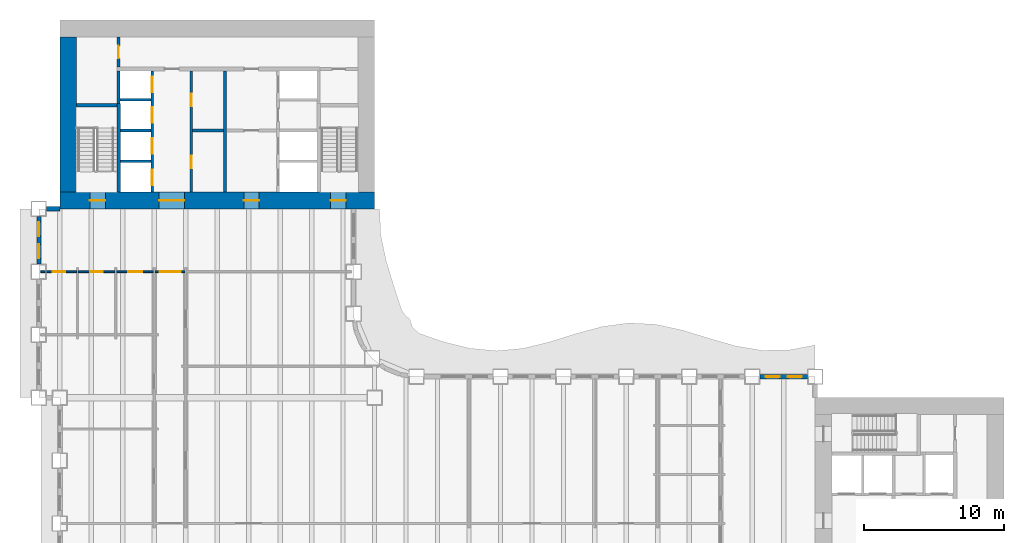
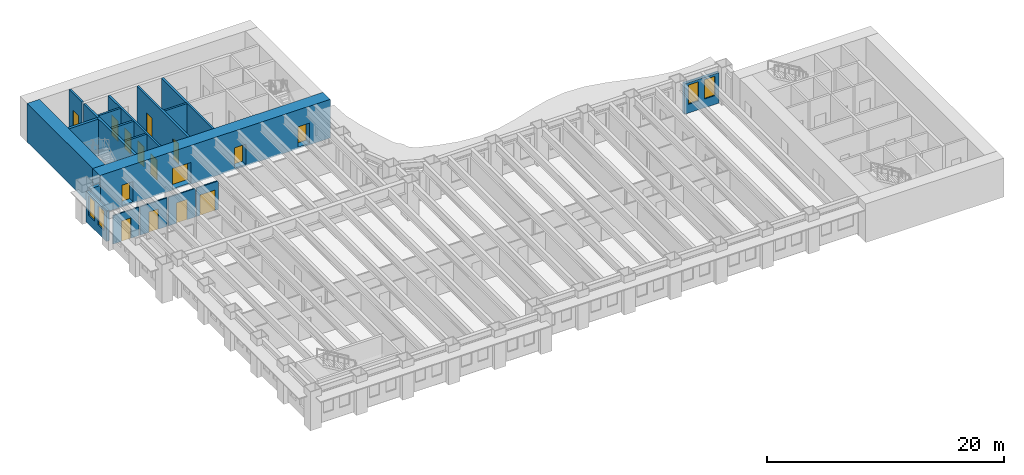
# One storey, part 7 of 15: 20 walls, 15 doors, 4 windows, 19 openings.
"""IFC4 building model written with IfcOpenShell, lengths in metres."""

from ifc_helpers import new_model, si_unit, direction, frame, frame_2d, origin, place, context, subcontext, project, spatial, rectangle, extrude, material, layer, layer_set, type_object, element, fill, save


model = new_model("IFC4")

# Units and contexts
model_context = context("Model", 3, precision=1e-05, world=origin(), true_north=direction((0.0, 1.0)))
body_context = subcontext(model_context, "Body", "Model", "MODEL_VIEW")
ifc_project = project(units=[si_unit("LENGTHUNIT", "METRE"), si_unit("AREAUNIT", "SQUARE_METRE"), si_unit("VOLUMEUNIT", "CUBIC_METRE"), si_unit("PLANEANGLEUNIT", "RADIAN"), si_unit("MASSUNIT", "GRAM", prefix="KILO")], contexts=[model_context])

# Site, building, storey
site_placement = place(None, origin())
site = spatial("IfcSite", under=ifc_project, at=site_placement, CompositionType="ELEMENT")
building_placement = place(site_placement, origin())
building = spatial("IfcBuilding", under=site, at=building_placement, Name="Sennacour Bend Tower", CompositionType="ELEMENT")
storey_placement = place(building_placement, frame((0.0, 0.0, 41.0)))
storey = spatial("IfcBuildingStorey", under=building, at=storey_placement, Name="L08", CompositionType="ELEMENT", Elevation=41.0)

# Wall, openings, doors
ifc_material_1 = material(Name="Concrete C80/95", Category="concrete")
ifc_layer_1 = layer(ifc_material_1, 1.199951171875, Name="Concrete C80/95", Category="concrete")
ifc_layer_set_1 = layer_set([ifc_layer_1], Name="Concrete C80/95")
wall_type_1 = type_object("IfcWallType", Name="Core wall 1200 C80/95", PredefinedType="SHEAR", material=ifc_layer_set_1)
wall_1_placement = place(storey_placement, frame((0.0, 36.60009765625, -0.14990234375), z_axis=(0.0, 0.0, 1.0), x_axis=(1.0, 0.0, 0.0)))
wall_1 = element("IfcWall", 1, at=wall_1_placement, inside=storey, type_object=wall_type_1, Name="Core B wall L08 S", PredefinedType="SHEAR", context=body_context, shape_type="SweptSolid", body=[
    extrude(rectangle(XDim=22.5, YDim=1.199951171875, at=frame_2d((11.25, 0.0))), origin(), (0.0, 0.0, 1.0), 4.0),
])
opening_1_placement = place(wall_1_placement, frame((7.10009765625, 0.0, 0.14990234375)))
opening_1 = element("IfcOpeningElement", 2, at=opening_1_placement, cuts=wall_1, Name="Opening CD", PredefinedType="OPENING", context=body_context, shape_type="SweptSolid", body=[
    extrude(rectangle(XDim=1.800048828125, YDim=2.10009765625, at=frame_2d((0.89990234375, 1.050048828125))), frame((0.0, 0.60986328125, 0.0), z_axis=(0.0, -1.0, 0.0), x_axis=(1.0, 0.0, 0.0)), (0.0, 0.0, 1.0), 1.219970703125),
])
opening_2_placement = place(wall_1_placement, frame((13.14990234375, 0.0, 0.14990234375)))
opening_2 = element("IfcOpeningElement", 3, at=opening_2_placement, cuts=wall_1, Name="Opening FD", PredefinedType="OPENING", context=body_context, shape_type="SweptSolid", body=[
    extrude(rectangle(XDim=1.10009765625, YDim=2.10009765625, at=frame_2d((0.550048828125, 1.050048828125))), frame((0.0, 0.60986328125, 0.0), z_axis=(0.0, -1.0, 0.0), x_axis=(1.0, 0.0, 0.0)), (0.0, 0.0, 1.0), 1.219970703125),
])
opening_3_placement = place(wall_1_placement, frame((2.14990234375, 0.0, 0.14990234375)))
opening_3 = element("IfcOpeningElement", 4, at=opening_3_placement, cuts=wall_1, Name="Opening SD", PredefinedType="OPENING", context=body_context, shape_type="SweptSolid", body=[
    extrude(rectangle(XDim=1.10009765625, YDim=2.10009765625, at=frame_2d((0.550048828125, 1.050048828125))), frame((0.0, 0.60986328125, 0.0), z_axis=(0.0, -1.0, 0.0), x_axis=(1.0, 0.0, 0.0)), (0.0, 0.0, 1.0), 1.219970703125),
])
opening_4_placement = place(wall_1_placement, frame((19.35009765625, 0.0, 0.14990234375)))
opening_4 = element("IfcOpeningElement", 5, at=opening_4_placement, cuts=wall_1, Name="Opening SD", PredefinedType="OPENING", context=body_context, shape_type="SweptSolid", body=[
    extrude(rectangle(XDim=1.10009765625, YDim=2.10009765625, at=frame_2d((0.550048828125, 1.050048828125))), frame((0.0, 0.60986328125, 0.0), z_axis=(0.0, -1.0, 0.0), x_axis=(1.0, 0.0, 0.0)), (0.0, 0.0, 1.0), 1.219970703125),
])
ifc_material_2 = material(Name="Painted steel", Category="steel")
door_type_1 = type_object("IfcDoorType", Name="DR-FFL-1100", OperationType="NOTDEFINED", PredefinedType="DOOR", material=ifc_material_2)
door_1_placement = place(opening_2_placement, origin())
door_1 = element("IfcDoor", 6, at=door_1_placement, inside=storey, type_object=door_type_1, Name="Door", OperationType="SINGLE_SWING_RIGHT", OverallHeight=2.10009765625, OverallWidth=1.10009765625, PredefinedType="DOOR", context=body_context, shape_type="SweptSolid", body=[
    extrude(rectangle(XDim=1.10009765625, YDim=2.10009765625, at=frame_2d((0.550048828125, 1.050048828125))), frame((0.0, 0.02490234375, 0.0), z_axis=(0.0, -1.0, 0.0), x_axis=(1.0, 0.0, 0.0)), (0.0, 0.0, 1.0), 0.050048828125),
])
fill(opening_2, door_1)
door_type_2 = type_object("IfcDoorType", Name="DR-LOBBY-1800", OperationType="NOTDEFINED", PredefinedType="DOOR", material=ifc_material_2)
door_2_placement = place(opening_1_placement, origin())
door_2 = element("IfcDoor", 7, at=door_2_placement, inside=storey, type_object=door_type_2, Name="Door", OperationType="DOUBLE_DOOR_SINGLE_SWING", OverallHeight=2.10009765625, OverallWidth=1.800048828125, PredefinedType="DOOR", context=body_context, shape_type="SweptSolid", body=[
    extrude(rectangle(XDim=1.800048828125, YDim=2.10009765625, at=frame_2d((0.89990234375, 1.050048828125))), frame((0.0, 0.02490234375, 0.0), z_axis=(0.0, -1.0, 0.0), x_axis=(1.0, 0.0, 0.0)), (0.0, 0.0, 1.0), 0.050048828125),
])
fill(opening_1, door_2)
door_type_3 = type_object("IfcDoorType", Name="DR-STAIR-1100", OperationType="NOTDEFINED", PredefinedType="DOOR", material=ifc_material_2)
door_3_placement = place(opening_3_placement, origin())
door_3 = element("IfcDoor", 8, at=door_3_placement, inside=storey, type_object=door_type_3, Name="Door", OperationType="SINGLE_SWING_LEFT", OverallHeight=2.10009765625, OverallWidth=1.10009765625, PredefinedType="DOOR", context=body_context, shape_type="SweptSolid", body=[
    extrude(rectangle(XDim=1.10009765625, YDim=2.10009765625, at=frame_2d((0.550048828125, 1.050048828125))), frame((0.0, 0.02490234375, 0.0), z_axis=(0.0, -1.0, 0.0), x_axis=(1.0, 0.0, 0.0)), (0.0, 0.0, 1.0), 0.050048828125),
])
fill(opening_3, door_3)
door_4_placement = place(opening_4_placement, origin())
door_4 = element("IfcDoor", 9, at=door_4_placement, inside=storey, type_object=door_type_3, Name="Door", OperationType="SINGLE_SWING_RIGHT", OverallHeight=2.10009765625, OverallWidth=1.10009765625, PredefinedType="DOOR", context=body_context, shape_type="SweptSolid", body=[
    extrude(rectangle(XDim=1.10009765625, YDim=2.10009765625, at=frame_2d((0.550048828125, 1.050048828125))), frame((0.0, 0.02490234375, 0.0), z_axis=(0.0, -1.0, 0.0), x_axis=(1.0, 0.0, 0.0)), (0.0, 0.0, 1.0), 0.050048828125),
])
fill(opening_4, door_4)

# Wall
wall_2_placement = place(storey_placement, frame((0.60009765625, 37.199951171875, -0.14990234375), z_axis=(0.0, 0.0, 1.0), x_axis=(0.0, 1.0, 0.0)))
element("IfcWall", 10, at=wall_2_placement, inside=storey, type_object=wall_type_1, Name="Core B wall L08 W", PredefinedType="SHEAR", context=body_context, shape_type="SweptSolid", body=[
    extrude(rectangle(XDim=11.10009765625, YDim=1.199951171875, at=frame_2d((5.550048828125, 0.0))), origin(), (0.0, 0.0, 1.0), 4.0),
])

# Wall, opening, door
ifc_material_3 = material(Name="Plasterboard partition on steel studs", Category="steel")
ifc_layer_2 = layer(ifc_material_3, 0.1201171875, Name="Plasterboard partition on steel studs", Category="steel")
ifc_layer_set_2 = layer_set([ifc_layer_2], Name="Plasterboard partition on steel studs")
wall_type_2 = type_object("IfcWallType", Name="Partition 120", PredefinedType="PARTITIONING", material=ifc_layer_set_2)
wall_3_placement = place(storey_placement, frame((-1.35009765625, 31.5, 0.0), z_axis=(0.0, 0.0, 1.0), x_axis=(1.0, 0.0, 0.0)))
wall_3 = element("IfcWall", 11, at=wall_3_placement, inside=storey, type_object=wall_type_2, Name="P-L08-W072aa", PredefinedType="PARTITIONING", context=body_context, shape_type="SweptSolid", body=[
    extrude(rectangle(XDim=2.5400390625, YDim=0.1201171875, at=frame_2d((1.27001953125, 0.0))), origin(), (0.0, 0.0, 1.0), 2.93798828125),
])
opening_5_placement = place(wall_3_placement, frame((0.85009765625, 0.0, 0.0)))
opening_5 = element("IfcOpeningElement", 12, at=opening_5_placement, cuts=wall_3, Name="Opening WD", PredefinedType="OPENING", context=body_context, shape_type="SweptSolid", body=[
    extrude(rectangle(XDim=0.89990234375, YDim=2.10009765625, at=frame_2d((0.449951171875, 1.050048828125))), frame((0.0, 0.070068359375, 0.0), z_axis=(0.0, -1.0, 0.0), x_axis=(1.0, 0.0, 0.0)), (0.0, 0.0, 1.0), 0.14013671875),
])
ifc_material_4 = material(Name="Timber", Category="wood")
door_type_4 = type_object("IfcDoorType", Name="DR-WC-900", OperationType="NOTDEFINED", PredefinedType="DOOR", material=ifc_material_4)
door_5_placement = place(opening_5_placement, origin())
door_5 = element("IfcDoor", 13, at=door_5_placement, inside=storey, type_object=door_type_4, Name="Door", OperationType="SINGLE_SWING_RIGHT", OverallHeight=2.10009765625, OverallWidth=0.89990234375, PredefinedType="DOOR", context=body_context, shape_type="SweptSolid", body=[
    extrude(rectangle(XDim=0.89990234375, YDim=2.10009765625, at=frame_2d((0.449951171875, 1.050048828125))), frame((0.0, 0.02490234375, 0.0), z_axis=(0.0, -1.0, 0.0), x_axis=(1.0, 0.0, 0.0)), (0.0, 0.0, 1.0), 0.050048828125),
])
fill(opening_5, door_5)

wall_4_placement = place(storey_placement, frame((1.31005859375, 31.5, 0.0), z_axis=(0.0, 0.0, 1.0), x_axis=(1.0, 0.0, 0.0)))
wall_4 = element("IfcWall", 14, at=wall_4_placement, inside=storey, type_object=wall_type_2, Name="P-L08-W072ab", PredefinedType="PARTITIONING", context=body_context, shape_type="SweptSolid", body=[
    extrude(rectangle(XDim=2.6298828125, YDim=0.1201171875, at=frame_2d((1.31494140625, 0.0))), origin(), (0.0, 0.0, 1.0), 2.93798828125),
])
opening_6_placement = place(wall_4_placement, frame((0.864990234375, 0.0, 0.0)))
opening_6 = element("IfcOpeningElement", 15, at=opening_6_placement, cuts=wall_4, Name="Opening WD", PredefinedType="OPENING", context=body_context, shape_type="SweptSolid", body=[
    extrude(rectangle(XDim=0.89990234375, YDim=2.10009765625, at=frame_2d((0.449951171875, 1.050048828125))), frame((0.0, 0.070068359375, 0.0), z_axis=(0.0, -1.0, 0.0), x_axis=(1.0, 0.0, 0.0)), (0.0, 0.0, 1.0), 0.14013671875),
])
door_6_placement = place(opening_6_placement, origin())
door_6 = element("IfcDoor", 16, at=door_6_placement, inside=storey, type_object=door_type_4, Name="Door", OperationType="SINGLE_SWING_LEFT", OverallHeight=2.10009765625, OverallWidth=0.89990234375, PredefinedType="DOOR", context=body_context, shape_type="SweptSolid", body=[
    extrude(rectangle(XDim=0.89990234375, YDim=2.10009765625, at=frame_2d((0.449951171875, 1.050048828125))), frame((0.0, 0.02490234375, 0.0), z_axis=(0.0, -1.0, 0.0), x_axis=(1.0, 0.0, 0.0)), (0.0, 0.0, 1.0), 0.050048828125),
])
fill(opening_6, door_6)

wall_5_placement = place(storey_placement, frame((4.06005859375, 31.5, 0.0), z_axis=(0.0, 0.0, 1.0), x_axis=(1.0, 0.0, 0.0)))
wall_5 = element("IfcWall", 17, at=wall_5_placement, inside=storey, type_object=wall_type_2, Name="P-L08-W072ac", PredefinedType="PARTITIONING", context=body_context, shape_type="SweptSolid", body=[
    extrude(rectangle(XDim=2.6298828125, YDim=0.1201171875, at=frame_2d((1.31494140625, 0.0))), origin(), (0.0, 0.0, 1.0), 2.93798828125),
])
opening_7_placement = place(wall_5_placement, frame((0.81494140625, 0.0, 0.0)))
opening_7 = element("IfcOpeningElement", 18, at=opening_7_placement, cuts=wall_5, Name="Opening AD", PredefinedType="OPENING", context=body_context, shape_type="SweptSolid", body=[
    extrude(rectangle(XDim=1.0, YDim=2.10009765625, at=frame_2d((0.5, 1.050048828125))), frame((0.0, 0.070068359375, 0.0), z_axis=(0.0, -1.0, 0.0), x_axis=(1.0, 0.0, 0.0)), (0.0, 0.0, 1.0), 0.14013671875),
])
door_type_5 = type_object("IfcDoorType", Name="DR-ACC-WC-1000", OperationType="NOTDEFINED", PredefinedType="DOOR", material=ifc_material_4)
door_7_placement = place(opening_7_placement, origin())
door_7 = element("IfcDoor", 19, at=door_7_placement, inside=storey, type_object=door_type_5, Name="Door", OperationType="SINGLE_SWING_LEFT", OverallHeight=2.10009765625, OverallWidth=1.0, PredefinedType="DOOR", context=body_context, shape_type="SweptSolid", body=[
    extrude(rectangle(XDim=1.0, YDim=2.10009765625, at=frame_2d((0.5, 1.050048828125))), frame((0.0, 0.02490234375, 0.0), z_axis=(0.0, -1.0, 0.0), x_axis=(1.0, 0.0, 0.0)), (0.0, 0.0, 1.0), 0.050048828125),
])
fill(opening_7, door_7)

ifc_layer_3 = layer(ifc_material_3, 0.1201171875, Name="Plasterboard partition on steel studs", Category="steel")
ifc_layer_set_3 = layer_set([ifc_layer_3], Name="Plasterboard partition on steel studs")
wall_type_3 = type_object("IfcWallType", Name="Partition 120 EI 30", PredefinedType="PARTITIONING", material=ifc_layer_set_3)
wall_6_placement = place(storey_placement, frame((6.81005859375, 31.5, 0.0), z_axis=(0.0, 0.0, 1.0), x_axis=(1.0, 0.0, 0.0)))
wall_6 = element("IfcWall", 20, at=wall_6_placement, inside=storey, type_object=wall_type_3, Name="P-L08-W072ad", PredefinedType="PARTITIONING", context=body_context, shape_type="SweptSolid", body=[
    extrude(rectangle(XDim=2.1298828125, YDim=0.1201171875, at=frame_2d((1.06494140625, 0.0))), origin(), (0.0, 0.0, 1.0), 2.93798828125),
])
opening_8_placement = place(wall_6_placement, frame((0.31494140625, 0.0, 0.0)))
opening_8 = element("IfcOpeningElement", 21, at=opening_8_placement, cuts=wall_6, Name="Opening KD", PredefinedType="OPENING", context=body_context, shape_type="SweptSolid", body=[
    extrude(rectangle(XDim=1.5, YDim=2.10009765625, at=frame_2d((0.75, 1.050048828125))), frame((0.0, 0.070068359375, 0.0), z_axis=(0.0, -1.0, 0.0), x_axis=(1.0, 0.0, 0.0)), (0.0, 0.0, 1.0), 0.14013671875),
])
door_type_6 = type_object("IfcDoorType", Name="DR-CORRIDOR-1500", OperationType="NOTDEFINED", PredefinedType="DOOR", material=ifc_material_2)
door_8_placement = place(opening_8_placement, origin())
door_8 = element("IfcDoor", 22, at=door_8_placement, inside=storey, type_object=door_type_6, Name="Door", OperationType="SINGLE_SWING_LEFT", OverallHeight=2.10009765625, OverallWidth=1.5, PredefinedType="DOOR", context=body_context, shape_type="SweptSolid", body=[
    extrude(rectangle(XDim=1.5, YDim=2.10009765625, at=frame_2d((0.75, 1.050048828125))), frame((0.0, 0.02490234375, 0.0), z_axis=(0.0, -1.0, 0.0), x_axis=(1.0, 0.0, 0.0)), (0.0, 0.0, 1.0), 0.050048828125),
])
fill(opening_8, door_8)

ifc_material_5 = material(Name="Fire-rated plasterboard partition on steel studs", Category="steel")
ifc_layer_4 = layer(ifc_material_5, 0.199951171875, Name="Fire-rated plasterboard partition on steel studs", Category="steel")
ifc_layer_set_4 = layer_set([ifc_layer_4], Name="Fire-rated plasterboard partition on steel studs")
wall_type_4 = type_object("IfcWallType", Name="Rated partition 200", PredefinedType="PARTITIONING", material=ifc_layer_set_4)
wall_7_placement = place(storey_placement, frame((4.199951171875, 46.14990234375, 0.0), z_axis=(0.0, 0.0, 1.0), x_axis=(0.0, 1.0, 0.0)))
wall_7 = element("IfcWall", 23, at=wall_7_placement, inside=storey, type_object=wall_type_4, Name="P-L08-W008", PredefinedType="PARTITIONING", context=body_context, shape_type="SweptSolid", body=[
    extrude(rectangle(XDim=2.150146484375, YDim=0.199951171875, at=frame_2d((1.0751953125, 0.0))), origin(), (0.0, 0.0, 1.0), 3.85009765625),
])
opening_9_placement = place(wall_7_placement, frame((0.60009765625, 0.0, 0.0)))
opening_9 = element("IfcOpeningElement", 24, at=opening_9_placement, cuts=wall_7, Name="Opening SV", PredefinedType="OPENING", context=body_context, shape_type="SweptSolid", body=[
    extrude(rectangle(XDim=0.89990234375, YDim=2.10009765625, at=frame_2d((0.449951171875, 1.050048828125))), frame((0.0, 0.10986328125, 0.0), z_axis=(0.0, -1.0, 0.0), x_axis=(1.0, 0.0, 0.0)), (0.0, 0.0, 1.0), 0.219970703125),
])
door_type_7 = type_object("IfcDoorType", Name="DR-SERVICE-900", OperationType="NOTDEFINED", PredefinedType="DOOR", material=ifc_material_2)
door_9_placement = place(opening_9_placement, origin())
door_9 = element("IfcDoor", 25, at=door_9_placement, inside=storey, type_object=door_type_7, Name="Door", OperationType="SINGLE_SWING_LEFT", OverallHeight=2.10009765625, OverallWidth=0.89990234375, PredefinedType="DOOR", context=body_context, shape_type="SweptSolid", body=[
    extrude(rectangle(XDim=0.89990234375, YDim=2.10009765625, at=frame_2d((0.449951171875, 1.050048828125))), frame((0.0, 0.02490234375, 0.0), z_axis=(0.0, -1.0, 0.0), x_axis=(1.0, 0.0, 0.0)), (0.0, 0.0, 1.0), 0.050048828125),
])
fill(opening_9, door_9)

# Wall, openings, doors
wall_8_placement = place(storey_placement, frame((9.39990234375, 37.199951171875, 0.0), z_axis=(0.0, 0.0, 1.0), x_axis=(0.0, 1.0, 0.0)))
wall_8 = element("IfcWall", 26, at=wall_8_placement, inside=storey, type_object=wall_type_4, Name="P-L08-W013", PredefinedType="PARTITIONING", context=body_context, shape_type="SweptSolid", body=[
    extrude(rectangle(XDim=8.650146484375, YDim=0.199951171875, at=frame_2d((4.3251953125, 0.0))), origin(), (0.0, 0.0, 1.0), 3.85009765625),
])
opening_10_placement = place(wall_8_placement, frame((1.699951171875, 0.0, 0.0)))
opening_10 = element("IfcOpeningElement", 27, at=opening_10_placement, cuts=wall_8, Name="Opening SV", PredefinedType="OPENING", context=body_context, shape_type="SweptSolid", body=[
    extrude(rectangle(XDim=0.89990234375, YDim=2.10009765625, at=frame_2d((0.449951171875, 1.050048828125))), frame((0.0, 0.10986328125, 0.0), z_axis=(0.0, -1.0, 0.0), x_axis=(1.0, 0.0, 0.0)), (0.0, 0.0, 1.0), 0.219970703125),
])
opening_11_placement = place(wall_8_placement, frame((6.125, 0.0, 0.0)))
opening_11 = element("IfcOpeningElement", 28, at=opening_11_placement, cuts=wall_8, Name="Opening SV", PredefinedType="OPENING", context=body_context, shape_type="SweptSolid", body=[
    extrude(rectangle(XDim=0.89990234375, YDim=2.10009765625, at=frame_2d((0.449951171875, 1.050048828125))), frame((0.0, 0.10986328125, 0.0), z_axis=(0.0, -1.0, 0.0), x_axis=(1.0, 0.0, 0.0)), (0.0, 0.0, 1.0), 0.219970703125),
])
door_10_placement = place(opening_10_placement, origin())
door_10 = element("IfcDoor", 29, at=door_10_placement, inside=storey, type_object=door_type_7, Name="Door", OperationType="SINGLE_SWING_LEFT", OverallHeight=2.10009765625, OverallWidth=0.89990234375, PredefinedType="DOOR", context=body_context, shape_type="SweptSolid", body=[
    extrude(rectangle(XDim=0.89990234375, YDim=2.10009765625, at=frame_2d((0.449951171875, 1.050048828125))), frame((0.0, 0.02490234375, 0.0), z_axis=(0.0, -1.0, 0.0), x_axis=(1.0, 0.0, 0.0)), (0.0, 0.0, 1.0), 0.050048828125),
])
fill(opening_10, door_10)
door_11_placement = place(opening_11_placement, origin())
door_11 = element("IfcDoor", 30, at=door_11_placement, inside=storey, type_object=door_type_7, Name="Door", OperationType="SINGLE_SWING_RIGHT", OverallHeight=2.10009765625, OverallWidth=0.89990234375, PredefinedType="DOOR", context=body_context, shape_type="SweptSolid", body=[
    extrude(rectangle(XDim=0.89990234375, YDim=2.10009765625, at=frame_2d((0.449951171875, 1.050048828125))), frame((0.0, 0.02490234375, 0.0), z_axis=(0.0, -1.0, 0.0), x_axis=(1.0, 0.0, 0.0)), (0.0, 0.0, 1.0), 0.050048828125),
])
fill(opening_11, door_11)

# Walls
wall_9_placement = place(storey_placement, frame((11.800048828125, 37.199951171875, 0.0), z_axis=(0.0, 0.0, 1.0), x_axis=(0.0, 1.0, 0.0)))
element("IfcWall", 31, at=wall_9_placement, inside=storey, type_object=wall_type_4, Name="P-L08-W015", PredefinedType="PARTITIONING", context=body_context, shape_type="SweptSolid", body=[
    extrude(rectangle(XDim=8.650146484375, YDim=0.199951171875, at=frame_2d((4.3251953125, 0.0))), origin(), (0.0, 0.0, 1.0), 3.85009765625),
])
wall_10_placement = place(storey_placement, frame((9.5, 41.60009765625, 0.0), z_axis=(0.0, 0.0, 1.0), x_axis=(1.0, 0.0, 0.0)))
element("IfcWall", 32, at=wall_10_placement, inside=storey, type_object=wall_type_4, Name="P-L08-W077a", PredefinedType="PARTITIONING", context=body_context, shape_type="SweptSolid", body=[
    extrude(rectangle(XDim=2.199951171875, YDim=0.199951171875, at=frame_2d((1.10009765625, 0.0))), origin(), (0.0, 0.0, 1.0), 3.85009765625),
])

# Wall, openings, windows
ifc_material_6 = material(Name="Warm limestone cladding", Category="masonry")
ifc_layer_5 = layer(ifc_material_6, 0.050048828125, Name="Warm limestone cladding", Category="masonry")
ifc_material_7 = material(Name="Precast concrete C40/50", Category="concrete")
ifc_layer_6 = layer(ifc_material_7, 0.25, Name="Precast concrete C40/50", Category="concrete")
ifc_layer_set_5 = layer_set([ifc_layer_5, ifc_layer_6], Name="Precast concrete C40/50 with limestone cladding")
wall_type_5 = type_object("IfcWallType", Name="STONE-CLAD PRECAST SPANDREL 300", PredefinedType="STANDARD", material=ifc_layer_set_5)
wall_11_placement = place(storey_placement, frame((53.449951171875, 24.0, 0.0), z_axis=(0.0, 0.0, 1.0), x_axis=(-1.0, 0.0, 0.0)))
wall_11 = element("IfcWall", 33, at=wall_11_placement, inside=storey, type_object=wall_type_5, Name="Stone spandrel and pier wall L08 08.00", PredefinedType="STANDARD", context=body_context, shape_type="SweptSolid", body=[
    extrude(rectangle(XDim=3.39990234375, YDim=0.300048828125, at=frame_2d((1.699951171875, 0.0))), origin(), (0.0, 0.0, 1.0), 3.14404296875),
])
opening_12_placement = place(wall_11_placement, frame((0.39990234375, 0.0, 0.89990234375)))
opening_12 = element("IfcOpeningElement", 34, at=opening_12_placement, cuts=wall_11, Name="Opening W8", PredefinedType="OPENING", context=body_context, shape_type="SweptSolid", body=[
    extrude(rectangle(XDim=1.0, YDim=2.0, at=frame_2d((0.5, 1.0))), frame((0.0, 0.16015625, 0.0), z_axis=(0.0, -1.0, 0.0), x_axis=(1.0, 0.0, 0.0)), (0.0, 0.0, 1.0), 0.320068359375),
])
opening_13_placement = place(wall_11_placement, frame((2.0, 0.0, 0.89990234375)))
opening_13 = element("IfcOpeningElement", 35, at=opening_13_placement, cuts=wall_11, Name="Opening W8", PredefinedType="OPENING", context=body_context, shape_type="SweptSolid", body=[
    extrude(rectangle(XDim=1.0, YDim=2.0, at=frame_2d((0.5, 1.0))), frame((0.0, 0.16015625, 0.0), z_axis=(0.0, -1.0, 0.0), x_axis=(1.0, 0.0, 0.0)), (0.0, 0.0, 1.0), 0.320068359375),
])
ifc_material_8 = material(Name="Clear low-emissivity glass", Category="glass")
window_type = type_object("IfcWindowType", Name="WIN-RIBBON-1000x2000", PartitioningType="SINGLE_PANEL", PredefinedType="WINDOW", material=ifc_material_8)
window_1_placement = place(opening_12_placement, origin())
window_1 = element("IfcWindow", 36, at=window_1_placement, inside=storey, type_object=window_type, Name="Ribbon window L08 08.00.0", OverallHeight=2.0, OverallWidth=1.0, PartitioningType="SINGLE_PANEL", PredefinedType="WINDOW", context=body_context, shape_type="SweptSolid", body=[
    extrude(rectangle(XDim=1.0, YDim=2.0, at=frame_2d((0.5, 1.0))), frame((0.0, 0.030029296875, 0.0), z_axis=(0.0, -1.0, 0.0), x_axis=(1.0, 0.0, 0.0)), (0.0, 0.0, 1.0), 0.06005859375),
])
fill(opening_12, window_1)
window_2_placement = place(opening_13_placement, origin())
window_2 = element("IfcWindow", 37, at=window_2_placement, inside=storey, type_object=window_type, Name="Ribbon window L08 08.00.1", OverallHeight=2.0, OverallWidth=1.0, PartitioningType="SINGLE_PANEL", PredefinedType="WINDOW", context=body_context, shape_type="SweptSolid", body=[
    extrude(rectangle(XDim=1.0, YDim=2.0, at=frame_2d((0.5, 1.0))), frame((0.0, 0.030029296875, 0.0), z_axis=(0.0, -1.0, 0.0), x_axis=(1.0, 0.0, 0.0)), (0.0, 0.0, 1.0), 0.06005859375),
])
fill(opening_13, window_2)

# Wall
wall_12_placement = place(storey_placement, frame((0.0, 36.0, 0.0), z_axis=(0.0, 0.0, 1.0), x_axis=(-1.0, 0.0, 0.0)))
element("IfcWall", 38, at=wall_12_placement, inside=storey, type_object=wall_type_5, Name="Stone spandrel and pier wall L08 20.00", PredefinedType="STANDARD", context=body_context, shape_type="SweptSolid", body=[
    extrude(rectangle(XDim=0.949951171875, YDim=0.300048828125, at=frame_2d((0.47509765625, 0.0))), origin(), (0.0, 0.0, 1.0), 2.93798828125),
])

# Wall, openings, windows
wall_13_placement = place(storey_placement, frame((-1.5, 35.449951171875, 0.0), z_axis=(0.0, 0.0, 1.0), x_axis=(0.0, -1.0, 0.0)))
wall_13 = element("IfcWall", 39, at=wall_13_placement, inside=storey, type_object=wall_type_5, Name="Stone spandrel and pier wall L08 21.00", PredefinedType="STANDARD", context=body_context, shape_type="SweptSolid", body=[
    extrude(rectangle(XDim=3.39990234375, YDim=0.300048828125, at=frame_2d((1.699951171875, 0.0))), origin(), (0.0, 0.0, 1.0), 3.14404296875),
])
opening_14_placement = place(wall_13_placement, frame((0.39990234375, 0.0, 0.89990234375)))
opening_14 = element("IfcOpeningElement", 40, at=opening_14_placement, cuts=wall_13, Name="Opening W8", PredefinedType="OPENING", context=body_context, shape_type="SweptSolid", body=[
    extrude(rectangle(XDim=1.0, YDim=2.0, at=frame_2d((0.5, 1.0))), frame((0.0, 0.16015625, 0.0), z_axis=(0.0, -1.0, 0.0), x_axis=(1.0, 0.0, 0.0)), (0.0, 0.0, 1.0), 0.320068359375),
])
opening_15_placement = place(wall_13_placement, frame((2.0, 0.0, 0.89990234375)))
opening_15 = element("IfcOpeningElement", 41, at=opening_15_placement, cuts=wall_13, Name="Opening W8", PredefinedType="OPENING", context=body_context, shape_type="SweptSolid", body=[
    extrude(rectangle(XDim=1.0, YDim=2.0, at=frame_2d((0.5, 1.0))), frame((0.0, 0.16015625, 0.0), z_axis=(0.0, -1.0, 0.0), x_axis=(1.0, 0.0, 0.0)), (0.0, 0.0, 1.0), 0.320068359375),
])
window_3_placement = place(opening_14_placement, origin())
window_3 = element("IfcWindow", 42, at=window_3_placement, inside=storey, type_object=window_type, Name="Ribbon window L08 21.00.0", OverallHeight=2.0, OverallWidth=1.0, PartitioningType="SINGLE_PANEL", PredefinedType="WINDOW", context=body_context, shape_type="SweptSolid", body=[
    extrude(rectangle(XDim=1.0, YDim=2.0, at=frame_2d((0.5, 1.0))), frame((0.0, 0.030029296875, 0.0), z_axis=(0.0, -1.0, 0.0), x_axis=(1.0, 0.0, 0.0)), (0.0, 0.0, 1.0), 0.06005859375),
])
fill(opening_14, window_3)
window_4_placement = place(opening_15_placement, origin())
window_4 = element("IfcWindow", 43, at=window_4_placement, inside=storey, type_object=window_type, Name="Ribbon window L08 21.00.1", OverallHeight=2.0, OverallWidth=1.0, PartitioningType="SINGLE_PANEL", PredefinedType="WINDOW", context=body_context, shape_type="SweptSolid", body=[
    extrude(rectangle(XDim=1.0, YDim=2.0, at=frame_2d((0.5, 1.0))), frame((0.0, 0.030029296875, 0.0), z_axis=(0.0, -1.0, 0.0), x_axis=(1.0, 0.0, 0.0)), (0.0, 0.0, 1.0), 0.06005859375),
])
fill(opening_15, window_4)

# Wall
ifc_material_9 = material(Name="Concrete C50/60", Category="concrete")
ifc_layer_7 = layer(ifc_material_9, 0.199951171875, Name="Concrete C50/60", Category="concrete")
ifc_layer_set_6 = layer_set([ifc_layer_7], Name="Concrete C50/60")
wall_type_6 = type_object("IfcWallType", Name="Shaft wall 200", PredefinedType="SOLIDWALL", material=ifc_layer_set_6)
wall_14_placement = place(storey_placement, frame((4.199951171875, 43.52490234375, 0.0), z_axis=(0.0, 0.0, 1.0), x_axis=(0.0, 1.0, 0.0)))
element("IfcWall", 44, at=wall_14_placement, inside=storey, type_object=wall_type_6, Name="P-L08-W007", PredefinedType="SOLIDWALL", context=body_context, shape_type="SweptSolid", body=[
    extrude(rectangle(XDim=2.3251953125, YDim=0.199951171875, at=frame_2d((1.16259765625, 0.0))), origin(), (0.0, 0.0, 1.0), 3.85009765625),
])

# Wall, openings, doors
wall_15_placement = place(storey_placement, frame((6.60009765625, 37.199951171875, 0.0), z_axis=(0.0, 0.0, 1.0), x_axis=(0.0, 1.0, 0.0)))
wall_15 = element("IfcWall", 45, at=wall_15_placement, inside=storey, type_object=wall_type_6, Name="P-L08-W009", PredefinedType="SOLIDWALL", context=body_context, shape_type="SweptSolid", body=[
    extrude(rectangle(XDim=8.650146484375, YDim=0.199951171875, at=frame_2d((4.3251953125, 0.0))), origin(), (0.0, 0.0, 1.0), 3.85009765625),
])
opening_16_placement = place(wall_15_placement, frame((0.5, 0.0, 0.011962890625)))
opening_16 = element("IfcOpeningElement", 46, at=opening_16_placement, cuts=wall_15, Name="Opening LD", PredefinedType="OPENING", context=body_context, shape_type="SweptSolid", body=[
    extrude(rectangle(XDim=1.10009765625, YDim=2.10009765625, at=frame_2d((0.550048828125, 1.050048828125))), frame((0.0, 0.10986328125, 0.0), z_axis=(0.0, -1.0, 0.0), x_axis=(1.0, 0.0, 0.0)), (0.0, 0.0, 1.0), 0.219970703125),
])
opening_17_placement = place(wall_15_placement, frame((2.75, 0.0, 0.011962890625)))
opening_17 = element("IfcOpeningElement", 47, at=opening_17_placement, cuts=wall_15, Name="Opening LD", PredefinedType="OPENING", context=body_context, shape_type="SweptSolid", body=[
    extrude(rectangle(XDim=1.10009765625, YDim=2.10009765625, at=frame_2d((0.550048828125, 1.050048828125))), frame((0.0, 0.10986328125, 0.0), z_axis=(0.0, -1.0, 0.0), x_axis=(1.0, 0.0, 0.0)), (0.0, 0.0, 1.0), 0.219970703125),
])
opening_18_placement = place(wall_15_placement, frame((4.949951171875, 0.0, 0.011962890625)))
opening_18 = element("IfcOpeningElement", 48, at=opening_18_placement, cuts=wall_15, Name="Opening LD", PredefinedType="OPENING", context=body_context, shape_type="SweptSolid", body=[
    extrude(rectangle(XDim=1.10009765625, YDim=2.10009765625, at=frame_2d((0.550048828125, 1.050048828125))), frame((0.0, 0.10986328125, 0.0), z_axis=(0.0, -1.0, 0.0), x_axis=(1.0, 0.0, 0.0)), (0.0, 0.0, 1.0), 0.219970703125),
])
opening_19_placement = place(wall_15_placement, frame((7.125, 0.0, 0.011962890625)))
opening_19 = element("IfcOpeningElement", 49, at=opening_19_placement, cuts=wall_15, Name="Opening LD", PredefinedType="OPENING", context=body_context, shape_type="SweptSolid", body=[
    extrude(rectangle(XDim=1.10009765625, YDim=2.10009765625, at=frame_2d((0.550048828125, 1.050048828125))), frame((0.0, 0.10986328125, 0.0), z_axis=(0.0, -1.0, 0.0), x_axis=(1.0, 0.0, 0.0)), (0.0, 0.0, 1.0), 0.219970703125),
])
ifc_material_10 = material(Name="Stainless steel", Category="steel")
door_type_8 = type_object("IfcDoorType", Name="DR-LANDING-1100", OperationType="NOTDEFINED", PredefinedType="DOOR", material=ifc_material_10)
door_12_placement = place(opening_16_placement, origin())
door_12 = element("IfcDoor", 50, at=door_12_placement, inside=storey, type_object=door_type_8, Name="Lift landing door LB1", OperationType="SLIDING_TO_RIGHT", OverallHeight=2.10009765625, OverallWidth=1.10009765625, PredefinedType="DOOR", context=body_context, shape_type="SweptSolid", body=[
    extrude(rectangle(XDim=1.10009765625, YDim=2.10009765625, at=frame_2d((0.550048828125, 1.050048828125))), frame((0.0, 0.02490234375, 0.0), z_axis=(0.0, -1.0, 0.0), x_axis=(1.0, 0.0, 0.0)), (0.0, 0.0, 1.0), 0.050048828125),
])
fill(opening_16, door_12)
door_13_placement = place(opening_17_placement, origin())
door_13 = element("IfcDoor", 51, at=door_13_placement, inside=storey, type_object=door_type_8, Name="Lift landing door LB2", OperationType="SLIDING_TO_LEFT", OverallHeight=2.10009765625, OverallWidth=1.10009765625, PredefinedType="DOOR", context=body_context, shape_type="SweptSolid", body=[
    extrude(rectangle(XDim=1.10009765625, YDim=2.10009765625, at=frame_2d((0.550048828125, 1.050048828125))), frame((0.0, 0.02490234375, 0.0), z_axis=(0.0, -1.0, 0.0), x_axis=(1.0, 0.0, 0.0)), (0.0, 0.0, 1.0), 0.050048828125),
])
fill(opening_17, door_13)
door_14_placement = place(opening_18_placement, origin())
door_14 = element("IfcDoor", 52, at=door_14_placement, inside=storey, type_object=door_type_8, Name="Lift landing door LB3", OperationType="SLIDING_TO_RIGHT", OverallHeight=2.10009765625, OverallWidth=1.10009765625, PredefinedType="DOOR", context=body_context, shape_type="SweptSolid", body=[
    extrude(rectangle(XDim=1.10009765625, YDim=2.10009765625, at=frame_2d((0.550048828125, 1.050048828125))), frame((0.0, 0.02490234375, 0.0), z_axis=(0.0, -1.0, 0.0), x_axis=(1.0, 0.0, 0.0)), (0.0, 0.0, 1.0), 0.050048828125),
])
fill(opening_18, door_14)
door_15_placement = place(opening_19_placement, origin())
door_15 = element("IfcDoor", 53, at=door_15_placement, inside=storey, type_object=door_type_8, Name="Lift landing door LB4", OperationType="SLIDING_TO_LEFT", OverallHeight=2.10009765625, OverallWidth=1.10009765625, PredefinedType="DOOR", context=body_context, shape_type="SweptSolid", body=[
    extrude(rectangle(XDim=1.10009765625, YDim=2.10009765625, at=frame_2d((0.550048828125, 1.050048828125))), frame((0.0, 0.02490234375, 0.0), z_axis=(0.0, -1.0, 0.0), x_axis=(1.0, 0.0, 0.0)), (0.0, 0.0, 1.0), 0.050048828125),
])
fill(opening_19, door_15)

# Walls
for number, where, z_axis, x_axis, name in (
    (54, (4.324951171875, 39.39990234375, 0.0), (0.0, 0.0, 1.0), (1.0, 0.0, 0.0), "P-L08-W074"),
    (55, (4.324951171875, 41.60009765625, 0.0), (0.0, 0.0, 1.0), (1.0, 0.0, 0.0), "P-L08-W076"),
):
    element("IfcWall", number, at=place(storey_placement, frame(where, z_axis=z_axis, x_axis=x_axis)), inside=storey, type_object=wall_type_6, Name=name, PredefinedType="SOLIDWALL", context=body_context, shape_type="SweptSolid", body=[
        extrude(rectangle(XDim=2.175048828125, YDim=0.199951171875, at=frame_2d((1.08740234375, 0.0))), origin(), (0.0, 0.0, 1.0), 3.85009765625),
    ])
wall_16_placement = place(storey_placement, frame((4.300048828125, 43.800048828125, 0.0), z_axis=(0.0, 0.0, 1.0), x_axis=(1.0, 0.0, 0.0)))
element("IfcWall", 56, at=wall_16_placement, inside=storey, type_object=wall_type_6, Name="P-L08-W081", PredefinedType="SOLIDWALL", context=body_context, shape_type="SweptSolid", body=[
    extrude(rectangle(XDim=2.199951171875, YDim=0.199951171875, at=frame_2d((1.10009765625, 0.0))), origin(), (0.0, 0.0, 1.0), 3.85009765625),
])
ifc_material_11 = material(Name="Concrete C60/75", Category="concrete")
ifc_layer_8 = layer(ifc_material_11, 0.25, Name="Concrete C60/75", Category="concrete")
ifc_layer_set_7 = layer_set([ifc_layer_8], Name="Concrete C60/75")
wall_type_7 = type_object("IfcWallType", Name="Stair wall 250", PredefinedType="SHEAR", material=ifc_layer_set_7)
wall_17_placement = place(storey_placement, frame((4.199951171875, 37.199951171875, 0.0), z_axis=(0.0, 0.0, 1.0), x_axis=(0.0, 1.0, 0.0)))
element("IfcWall", 57, at=wall_17_placement, inside=storey, type_object=wall_type_7, Name="P-L08-W006", PredefinedType="SHEAR", context=body_context, shape_type="SweptSolid", body=[
    extrude(rectangle(XDim=6.324951171875, YDim=0.25, at=frame_2d((3.16259765625, 0.0))), origin(), (0.0, 0.0, 1.0), 3.85009765625),
])
wall_18_placement = place(storey_placement, frame((1.199951171875, 43.39990234375, 0.0), z_axis=(0.0, 0.0, 1.0), x_axis=(1.0, 0.0, 0.0)))
element("IfcWall", 58, at=wall_18_placement, inside=storey, type_object=wall_type_7, Name="P-L08-W079", PredefinedType="SHEAR", context=body_context, shape_type="SweptSolid", body=[
    extrude(rectangle(XDim=2.875, YDim=0.25, at=frame_2d((1.4375, 0.0))), origin(), (0.0, 0.0, 1.0), 3.85009765625),
])

save(model, "model.ifc")
